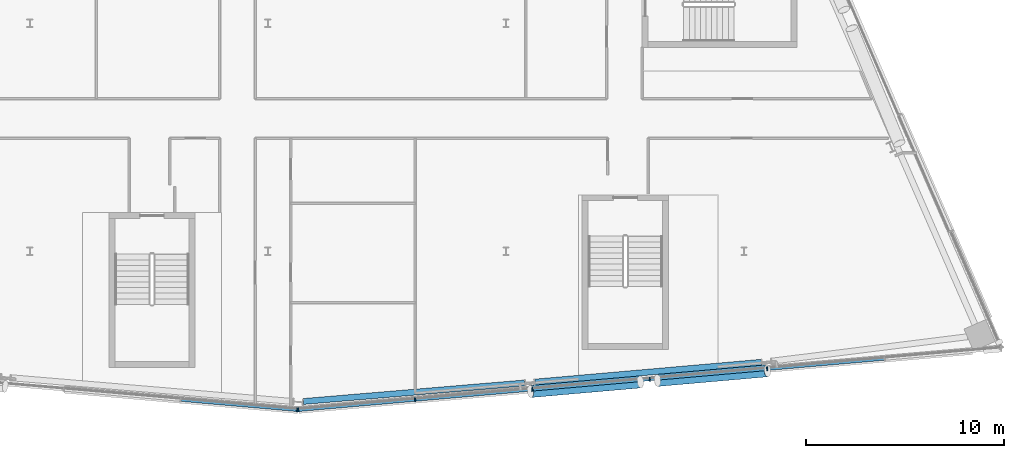
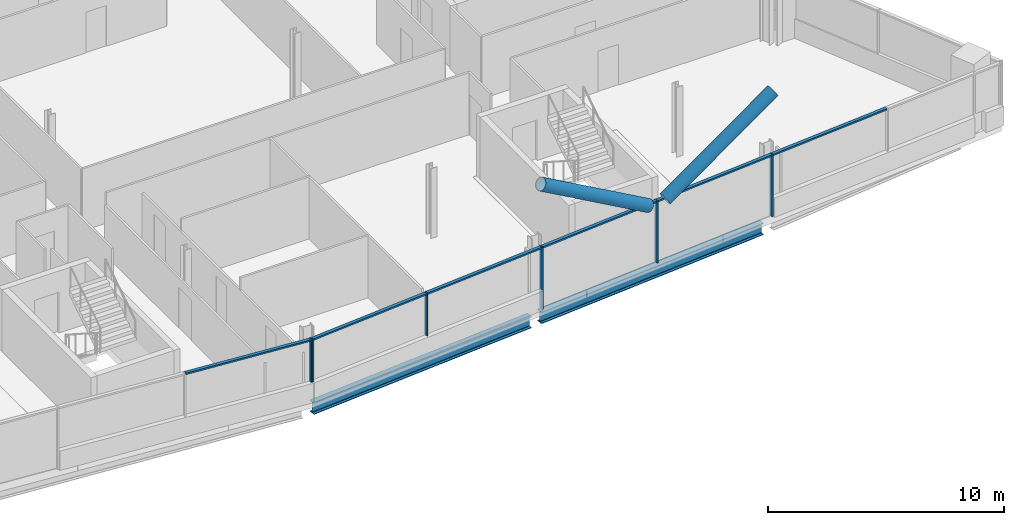
# One storey, part 8 of 26: 14 members, 2 beams, 2 elements without a shape of their own.
"""IFC4 building model written with IfcOpenShell, lengths in metres."""

import ifcopenshell
import ifcopenshell.guid

model = None  # the IFC model being written
_history = None  # IfcOwnerHistory: only IFC2X3 demands one
_inside = {}  # id of a spatial element -> (the spatial element, [elements in it])
_under = {}  # id of a project, library or spatial element -> (it, [spatial elements below it])
_declared = {}  # id of a project -> (the project, [libraries it declares])
_typed = {}  # id of a type object -> (the type object, [elements of that type])
_made_of = {}  # id of a material, layer set ... -> (it, [elements and type objects made of it])


def new_model(schema):
    """Start an empty IFC model of exactly this schema.

    Asked for "IFC4X3", IfcOpenShell would pick the latest addendum, in which some entities
    have other attributes; the version numbers below select the first issue.
    IFC2X3 requires an IfcOwnerHistory on every rooted entity: one is made here for all.
    """
    global model, _history
    if schema == "IFC4X3":
        model = ifcopenshell.file(schema_version=(4, 3, 0, 0))
    else:
        model = ifcopenshell.file(schema=schema)
    _inside.clear()
    _under.clear()
    _declared.clear()
    _typed.clear()
    _made_of.clear()
    _history = None
    if model.schema == "IFC2X3":
        org = make("IfcOrganization", Name="unknown")
        user = make(
            "IfcPersonAndOrganization",
            ThePerson=make("IfcPerson", FamilyName="unknown"),
            TheOrganization=org,
        )
        app = make(
            "IfcApplication",
            ApplicationDeveloper=org,
            Version="unknown",
            ApplicationFullName="unknown",
            ApplicationIdentifier="unknown",
        )
        _history = make(
            "IfcOwnerHistory",
            OwningUser=user,
            OwningApplication=app,
            ChangeAction="ADDED",
            CreationDate=0,
        )
    return model


def make(cls, **values):
    """One entity of the class cls with the attributes given. An attribute that is None is left unset."""
    return model.create_entity(
        cls, **{name: value for name, value in values.items() if value is not None}
    )


def rooted(cls, **values):
    """An entity with a GlobalId (a new one), such as an element, a storey or a relation."""
    return make(cls, GlobalId=ifcopenshell.guid.new(), OwnerHistory=_history, **values)


def si_unit(unit_type, name, prefix=None):
    """IfcSIUnit, for example si_unit("LENGTHUNIT", "METRE", prefix="MILLI")."""
    return make("IfcSIUnit", UnitType=unit_type, Prefix=prefix, Name=name)


def assignment(units):
    """IfcUnitAssignment: the units of a project."""
    return None if units is None else make("IfcUnitAssignment", Units=units)


def point(xyz):
    """IfcCartesianPoint."""
    return None if xyz is None else make("IfcCartesianPoint", Coordinates=xyz)


def direction(xyz):
    """IfcDirection."""
    return None if xyz is None else make("IfcDirection", DirectionRatios=xyz)


def frame(location, z_axis=None, x_axis=None):
    """IfcAxis2Placement3D, a coordinate frame: its origin and axes. An axis left out is left unset."""
    return make(
        "IfcAxis2Placement3D",
        Location=point(location),
        Axis=direction(z_axis),
        RefDirection=direction(x_axis),
    )


def frame_2d(location, x_axis=None):
    """IfcAxis2Placement2D, a coordinate frame in the plane: its origin and x axis."""
    return make(
        "IfcAxis2Placement2D", Location=point(location), RefDirection=direction(x_axis)
    )


def origin():
    """The frame at (0, 0, 0) with its axes left unset."""
    return frame((0.0, 0.0, 0.0))


def origin_2d():
    """The frame at (0, 0) in the plane with its x axis left unset."""
    return frame_2d((0.0, 0.0))


def place(relative_to, where):
    """IfcLocalPlacement: puts the frame where relative to a parent placement (None: the world)."""
    return make(
        "IfcLocalPlacement", PlacementRelTo=relative_to, RelativePlacement=where
    )


def context(
    kind, dimensions, precision=None, world=None, true_north=None, identifier=None
):
    """IfcGeometricRepresentationContext, for example the 3D "Model" context."""
    return make(
        "IfcGeometricRepresentationContext",
        ContextIdentifier=identifier,
        ContextType=kind,
        CoordinateSpaceDimension=dimensions,
        Precision=precision,
        WorldCoordinateSystem=world,
        TrueNorth=true_north,
    )


def subcontext(parent, identifier, kind, view, scale=None):
    """IfcGeometricRepresentationSubContext, for example "Body" below "Model"."""
    return make(
        "IfcGeometricRepresentationSubContext",
        ContextIdentifier=identifier,
        ContextType=kind,
        ParentContext=parent,
        TargetScale=scale,
        TargetView=view,
    )


def project(units=None, contexts=None):
    """IfcProject with its units and contexts."""
    return rooted(
        "IfcProject",
        Name="project",
        RepresentationContexts=contexts,
        UnitsInContext=assignment(units),
    )


def spatial(cls, under=None, at=None, **own):
    """A site, building, storey or space (cls), placed at a placement, below another one or the project."""
    s = rooted(cls, ObjectPlacement=at, **own)
    if under is not None:
        _under.setdefault(under.id(), (under, []))[1].append(s)
    return s


def profile(cls, at=None, kind="AREA", **sizes):
    """A parametric profile (cls). Its sizes go by their IFC names, for example OverallWidth=200.0."""
    return make(cls, ProfileType=kind, Position=at, **sizes)


def rectangle(**sizes):
    """IfcRectangleProfileDef."""
    return profile("IfcRectangleProfileDef", **sizes)


def hollow_circle(**sizes):
    """IfcCircleHollowProfileDef."""
    return profile("IfcCircleHollowProfileDef", **sizes)


def i_section(**sizes):
    """IfcIShapeProfileDef."""
    return profile("IfcIShapeProfileDef", **sizes)


def extrude(swept, where, along, depth):
    """IfcExtrudedAreaSolid: the profile swept, set in the frame where, extruded along a direction by depth."""
    return make(
        "IfcExtrudedAreaSolid",
        SweptArea=swept,
        Position=where,
        ExtrudedDirection=direction(along),
        Depth=depth,
    )


def shape(context_of_items, identifier, shape_type, items):
    """IfcShapeRepresentation: the items that make up one representation, for example the "Body"."""
    return make(
        "IfcShapeRepresentation",
        ContextOfItems=context_of_items,
        RepresentationIdentifier=identifier,
        RepresentationType=shape_type,
        Items=items,
    )


def material(Name=None, Category=None):
    """IfcMaterial."""
    return make("IfcMaterial", Name=Name, Category=Category)


def material_profile(
    of_material, cross_section, Name=None, Category=None, Priority=None
):
    """IfcMaterialProfile: a cross section and its material."""
    return make(
        "IfcMaterialProfile",
        Name=Name,
        Material=of_material,
        Profile=cross_section,
        Priority=Priority,
        Category=Category,
    )


def profile_set(profiles, Name=None, composite=None):
    """IfcMaterialProfileSet."""
    return make(
        "IfcMaterialProfileSet",
        Name=Name,
        MaterialProfiles=profiles,
        CompositeProfile=composite,
    )


def made_of(thing, what):
    """Note that an element or type object is made of a material, layer set ...; save() writes the relation."""
    if what is not None:
        _made_of.setdefault(what.id(), (what, []))[1].append(thing)
    return thing


def type_object(cls, material=None, **own):
    """A type object (cls), such as IfcWallType, which elements share."""
    return made_of(rooted(cls, **own), material)


def element(
    cls,
    number,
    at=None,
    inside=None,
    cuts=None,
    type_object=None,
    material=None,
    context=None,
    identifier="Body",
    shape_type=None,
    held_by="IfcProductDefinitionShape",
    body=None,
    shapes=None,
    **own,
):
    """One element of the class cls, such as IfcWall. Its Tag is "e" and its number.

    at: its placement. inside: the storey or other place that contains it. cuts: it is an
    opening in that element (IfcRelVoidsElement). A single representation is given by context,
    identifier, shape_type and body (its items); several are given by shapes. held_by: the class
    of the entity that holds the representations. save() writes the other relations.
    """
    e = rooted(cls, Tag="e%d" % number, ObjectPlacement=at, **own)
    if body is not None:
        shapes = [shape(context, identifier, shape_type, body)]
    if shapes is not None:
        e.Representation = make(held_by, Representations=shapes)
    if inside is not None:
        _inside.setdefault(inside.id(), (inside, []))[1].append(e)
    if cuts is not None:
        rooted(
            "IfcRelVoidsElement", RelatingBuildingElement=cuts, RelatedOpeningElement=e
        )
    if type_object is not None:
        _typed.setdefault(type_object.id(), (type_object, []))[1].append(e)
    return made_of(e, material)


def aggregate(whole, parts):
    """IfcRelAggregates: a whole, such as a stair, and the parts it consists of."""
    return rooted("IfcRelAggregates", RelatingObject=whole, RelatedObjects=parts)


def save(model, path):
    """Write the relations noted so far, then the file.

    IfcRelAggregates (storeys below a building ...), IfcRelContainedInSpatialStructure (elements
    in a storey), IfcRelDefinesByType, IfcRelAssociatesMaterial and IfcRelDeclares: one each for
    every whole, place, type object, material and project.
    """
    for whole, parts in _under.values():
        aggregate(whole, parts)
    for where, things in _inside.values():
        rooted(
            "IfcRelContainedInSpatialStructure",
            RelatedElements=things,
            RelatingStructure=where,
        )
    for kind, things in _typed.values():
        rooted("IfcRelDefinesByType", RelatedObjects=things, RelatingType=kind)
    for what, things in _made_of.values():
        rooted("IfcRelAssociatesMaterial", RelatedObjects=things, RelatingMaterial=what)
    for by, libraries in _declared.values():
        rooted("IfcRelDeclares", RelatingContext=by, RelatedDefinitions=libraries)
    model.write(path)


model = new_model("IFC4")

# Units and contexts
model_context = context("Model", 3, precision=1e-05, world=origin(), true_north=direction((0.0, 1.0)))
body_context = subcontext(model_context, "Body", "Model", "MODEL_VIEW")
ifc_project = project(units=[si_unit("LENGTHUNIT", "METRE"), si_unit("AREAUNIT", "SQUARE_METRE"), si_unit("VOLUMEUNIT", "CUBIC_METRE"), si_unit("PLANEANGLEUNIT", "RADIAN"), si_unit("MASSUNIT", "GRAM", prefix="KILO")], contexts=[model_context])

# Site, building, storey
site_placement = place(None, origin())
site = spatial("IfcSite", under=ifc_project, at=site_placement, CompositionType="ELEMENT")
building_placement = place(site_placement, origin())
building = spatial("IfcBuilding", under=site, at=building_placement, Name="Wharfspan Tower", CompositionType="ELEMENT")
storey_placement = place(building_placement, frame((0.0, 0.0, 214.300049)))
storey = spatial("IfcBuildingStorey", under=building, at=storey_placement, Name="L53", CompositionType="ELEMENT", Elevation=214.300049)

# Beams
ifc_material_1 = material(Name="Steel S355J2", Category="steel")
ifc_material_profile_1 = material_profile(ifc_material_1, i_section(OverallWidth=0.300049, OverallDepth=0.600098, WebThickness=0.015381, FlangeThickness=0.030029, FilletRadius=0.0271, at=origin_2d()))
ifc_profile_set_1 = profile_set([ifc_material_profile_1], Name="Steel S355J2")
beam_type = type_object("IfcBeamType", Name="Edge beam HEB 600", PredefinedType="SPANDREL", material=ifc_profile_set_1)
beam_1_placement = place(storey_placement, frame((49.783691, 3.923828, -0.699951), z_axis=(0.996517, 0.083395, 0.0), x_axis=(-0.083395, 0.996517, 0.0)))
element("IfcBeam", 1, at=beam_1_placement, inside=storey, type_object=beam_type, Name="Edge beam S2 L53 PS1.3 to PS2.1", PredefinedType="SPANDREL", context=body_context, shape_type="SweptSolid", body=[
    extrude(i_section(OverallWidth=0.300049, OverallDepth=0.600098, WebThickness=0.015381, FlangeThickness=0.030029, FilletRadius=0.0271, at=origin_2d()), origin(), (0.0, 0.0, 1.0), 11.200684),
])
beam_2_placement = place(storey_placement, frame((61.459473, 4.901855, -0.699951), z_axis=(0.996195, 0.087157, 0.0), x_axis=(-0.087157, 0.996195, 0.0)))
element("IfcBeam", 2, at=beam_2_placement, inside=storey, type_object=beam_type, Name="Edge beam S2 L53 PS2.1 to PS2.2", PredefinedType="SPANDREL", context=body_context, shape_type="SweptSolid", body=[
    extrude(i_section(OverallWidth=0.300049, OverallDepth=0.600098, WebThickness=0.015381, FlangeThickness=0.030029, FilletRadius=0.0271, at=origin_2d()), origin(), (0.0, 0.0, 1.0), 11.462402),
])

# Curtain wall, member
ifc_material_2 = material(Name="Aluminium 6063-T6", Category="aluminium")
curtain_wall_type = type_object("IfcCurtainWallType", Name="CURTAIN WALL FACETED FRONT", PredefinedType="NOTDEFINED", material=ifc_material_2)
curtain_wall_1_placement = place(storey_placement, origin())
curtain_wall_1 = element("IfcCurtainWall", 3, at=curtain_wall_1_placement, inside=storey, type_object=curtain_wall_type, Name="Curtain wall S1", PredefinedType="NOTDEFINED")
ifc_material_profile_2 = material_profile(ifc_material_2, rectangle(XDim=0.199951, YDim=0.060059, at=origin_2d()))
ifc_profile_set_2 = profile_set([ifc_material_profile_2], Name="Aluminium 6063-T6")
member_type_1 = type_object("IfcMemberType", Name="MULLION FACETED FRONT 60x200", PredefinedType="MULLION", material=ifc_profile_set_2)
member_1_placement = place(storey_placement, frame((49.470215, 3.496826, 1.0), z_axis=(0.0, 0.0, 1.0), x_axis=(0.087156, 0.996197, 0.0)))
member_1 = element("IfcMember", 4, at=member_1_placement, type_object=member_type_1, Name="Curtain wall S1 mullion 6", PredefinedType="MULLION", context=body_context, shape_type="SweptSolid", body=[
    extrude(rectangle(XDim=0.199951, YDim=0.060059, at=origin_2d()), origin(), (0.0, 0.0, 1.0), 2.199951),
])

# Curtain wall, members
curtain_wall_2_placement = place(storey_placement, origin())
curtain_wall_2 = element("IfcCurtainWall", 5, at=curtain_wall_2_placement, inside=storey, type_object=curtain_wall_type, Name="Curtain wall S2", PredefinedType="NOTDEFINED")
member_2_placement = place(storey_placement, frame((49.529785, 3.496826, 1.0), z_axis=(0.0, 0.0, 1.0), x_axis=(-0.087156, 0.996197, 0.0)))
member_2 = element("IfcMember", 6, at=member_2_placement, type_object=member_type_1, Name="Curtain wall S2 mullion 1", PredefinedType="MULLION", context=body_context, shape_type="SweptSolid", body=[
    extrude(rectangle(XDim=0.199951, YDim=0.060059, at=origin_2d()), origin(), (0.0, 0.0, 1.0), 2.199951),
])
member_3_placement = place(storey_placement, frame((55.416748, 4.011719, 1.0), z_axis=(0.0, 0.0, 1.0), x_axis=(-0.087156, 0.996197, 0.0)))
member_3 = element("IfcMember", 7, at=member_3_placement, type_object=member_type_1, Name="Curtain wall S2 mullion 2", PredefinedType="MULLION", context=body_context, shape_type="SweptSolid", body=[
    extrude(rectangle(XDim=0.199951, YDim=0.060059, at=origin_2d()), origin(), (0.0, 0.0, 1.0), 2.199951),
])
member_4_placement = place(storey_placement, frame((61.333252, 4.529541, 0.0), z_axis=(0.0, 0.0, 1.0), x_axis=(-0.087156, 0.996197, 0.0)))
member_4 = element("IfcMember", 8, at=member_4_placement, type_object=member_type_1, Name="Curtain wall S2 mullion 3", PredefinedType="MULLION", context=body_context, shape_type="SweptSolid", body=[
    extrude(rectangle(XDim=0.199951, YDim=0.060059, at=origin_2d()), origin(), (0.0, 0.0, 1.0), 3.199951),
])
member_5_placement = place(storey_placement, frame((67.25, 5.047119, 0.0), z_axis=(0.0, 0.0, 1.0), x_axis=(-0.087156, 0.996197, 0.0)))
member_5 = element("IfcMember", 9, at=member_5_placement, type_object=member_type_1, Name="Curtain wall S2 mullion 4", PredefinedType="MULLION", context=body_context, shape_type="SweptSolid", body=[
    extrude(rectangle(XDim=0.199951, YDim=0.060059, at=origin_2d()), origin(), (0.0, 0.0, 1.0), 3.199951),
])
member_6_placement = place(storey_placement, frame((73.166748, 5.564697, 0.0), z_axis=(0.0, 0.0, 1.0), x_axis=(-0.087156, 0.996197, 0.0)))
member_6 = element("IfcMember", 10, at=member_6_placement, type_object=member_type_1, Name="Curtain wall S2 mullion 5", PredefinedType="MULLION", context=body_context, shape_type="SweptSolid", body=[
    extrude(rectangle(XDim=0.199951, YDim=0.060059, at=origin_2d()), origin(), (0.0, 0.0, 1.0), 3.199951),
])

# Members
ifc_material_3 = material(Name="Steel S460NH", Category="steel")
ifc_material_profile_3 = material_profile(ifc_material_3, hollow_circle(Radius=0.304932, WallThickness=0.024902, at=origin_2d()))
ifc_profile_set_3 = profile_set([ifc_material_profile_3], Name="Steel S460NH")
member_type_2 = type_object("IfcMemberType", Name="Mega brace CHS 610x25", PredefinedType="BRACE", material=ifc_profile_set_3)
for number, where, z_axis, x_axis, name in (
    (11, (67.638428, 4.985596, 3.159424), (0.853829, 0.074698, 0.515166), (-0.087155, 0.996197, 3e-06), "Mega brace S2 L53 part 2"),
    (12, (66.778564, 4.9104, 3.159424), (-0.853829, -0.074698, 0.515166), (0.087155, -0.996197, 3e-06), "Mega brace S2 L53 part 4"),
):
    element("IfcMember", number, at=place(storey_placement, frame(where, z_axis=z_axis, x_axis=x_axis)), inside=storey, type_object=member_type_2, Name=name, PredefinedType="BRACE", context=body_context, shape_type="SweptSolid", body=[
        extrude(hollow_circle(Radius=0.304932, WallThickness=0.024902, at=origin_2d()), origin(), (0.0, 0.0, 1.0), 6.484375),
    ])

# Member
ifc_material_profile_4 = material_profile(ifc_material_2, rectangle(XDim=0.159912, YDim=0.080078, at=origin_2d()))
ifc_profile_set_4 = profile_set([ifc_material_profile_4], Name="Aluminium 6063-T6")
member_type_3 = type_object("IfcMemberType", Name="TRANSOM FACETED FRONT 80x160", PredefinedType="USERDEFINED", material=ifc_profile_set_4)
member_7_placement = place(storey_placement, frame((43.629883, 4.007812, 3.159912), z_axis=(0.996192, -0.087191, 0.0), x_axis=(0.087191, 0.996192, 0.0)))
member_7 = element("IfcMember", 13, at=member_7_placement, type_object=member_type_3, Name="Curtain wall S1 transom 5", ObjectType="TRANSOM", PredefinedType="USERDEFINED", context=body_context, shape_type="SweptSolid", body=[
    extrude(rectangle(XDim=0.159912, YDim=0.080078, at=origin_2d()), origin(), (0.0, 0.0, 1.0), 5.83252),
])

aggregate(curtain_wall_1, [member_1, member_7])

member_8_placement = place(storey_placement, frame((49.559814, 3.499268, 3.159912), z_axis=(0.996191, 0.087193, 0.0), x_axis=(-0.087193, 0.996191, 0.0)))
member_8 = element("IfcMember", 14, at=member_8_placement, type_object=member_type_3, Name="Curtain wall S2 transom 1", ObjectType="TRANSOM", PredefinedType="USERDEFINED", context=body_context, shape_type="SweptSolid", body=[
    extrude(rectangle(XDim=0.159912, YDim=0.080078, at=origin_2d()), origin(), (0.0, 0.0, 1.0), 5.849121),
])

member_9_placement = place(storey_placement, frame((55.446533, 4.014404, 3.159912), z_axis=(0.996194, 0.087162, 0.0), x_axis=(-0.087162, 0.996194, 0.0)))
member_9 = element("IfcMember", 15, at=member_9_placement, type_object=member_type_3, Name="Curtain wall S2 transom 2", ObjectType="TRANSOM", PredefinedType="USERDEFINED", context=body_context, shape_type="SweptSolid", body=[
    extrude(rectangle(XDim=0.159912, YDim=0.080078, at=origin_2d()), origin(), (0.0, 0.0, 1.0), 5.879395),
])

member_10_placement = place(storey_placement, frame((61.363281, 4.531982, 3.159912), z_axis=(0.996194, 0.087162, 0.0), x_axis=(-0.087162, 0.996194, 0.0)))
member_10 = element("IfcMember", 16, at=member_10_placement, type_object=member_type_3, Name="Curtain wall S2 transom 3", ObjectType="TRANSOM", PredefinedType="USERDEFINED", context=body_context, shape_type="SweptSolid", body=[
    extrude(rectangle(XDim=0.159912, YDim=0.080078, at=origin_2d()), origin(), (0.0, 0.0, 1.0), 5.879395),
])

member_11_placement = place(storey_placement, frame((67.279785, 5.049805, 3.159912), z_axis=(0.996198, 0.087121, 0.0), x_axis=(-0.087121, 0.996198, 0.0)))
member_11 = element("IfcMember", 17, at=member_11_placement, type_object=member_type_3, Name="Curtain wall S2 transom 4", ObjectType="TRANSOM", PredefinedType="USERDEFINED", context=body_context, shape_type="SweptSolid", body=[
    extrude(rectangle(XDim=0.159912, YDim=0.080078, at=origin_2d()), origin(), (0.0, 0.0, 1.0), 5.879395),
])

member_12_placement = place(storey_placement, frame((73.196533, 5.567383, 3.159912), z_axis=(0.996194, 0.087162, 0.0), x_axis=(-0.087162, 0.996194, 0.0)))
member_12 = element("IfcMember", 18, at=member_12_placement, type_object=member_type_3, Name="Curtain wall S2 transom 5", ObjectType="TRANSOM", PredefinedType="USERDEFINED", context=body_context, shape_type="SweptSolid", body=[
    extrude(rectangle(XDim=0.159912, YDim=0.080078, at=origin_2d()), origin(), (0.0, 0.0, 1.0), 5.879395),
])

aggregate(curtain_wall_2, [member_2, member_3, member_4, member_5, member_6, member_8, member_9, member_10, member_11, member_12])

save(model, "model.ifc")
